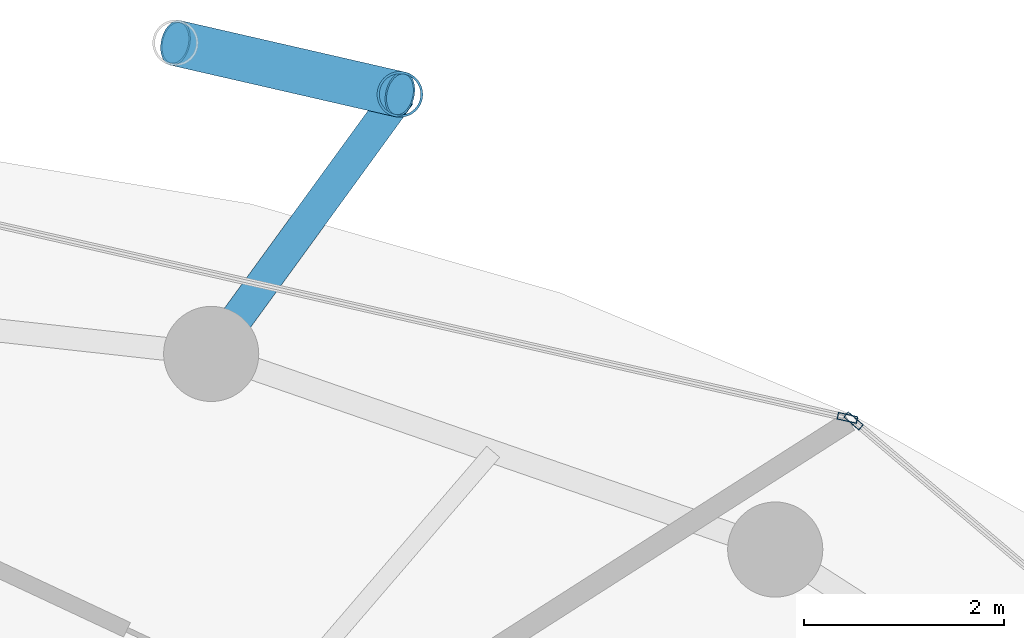
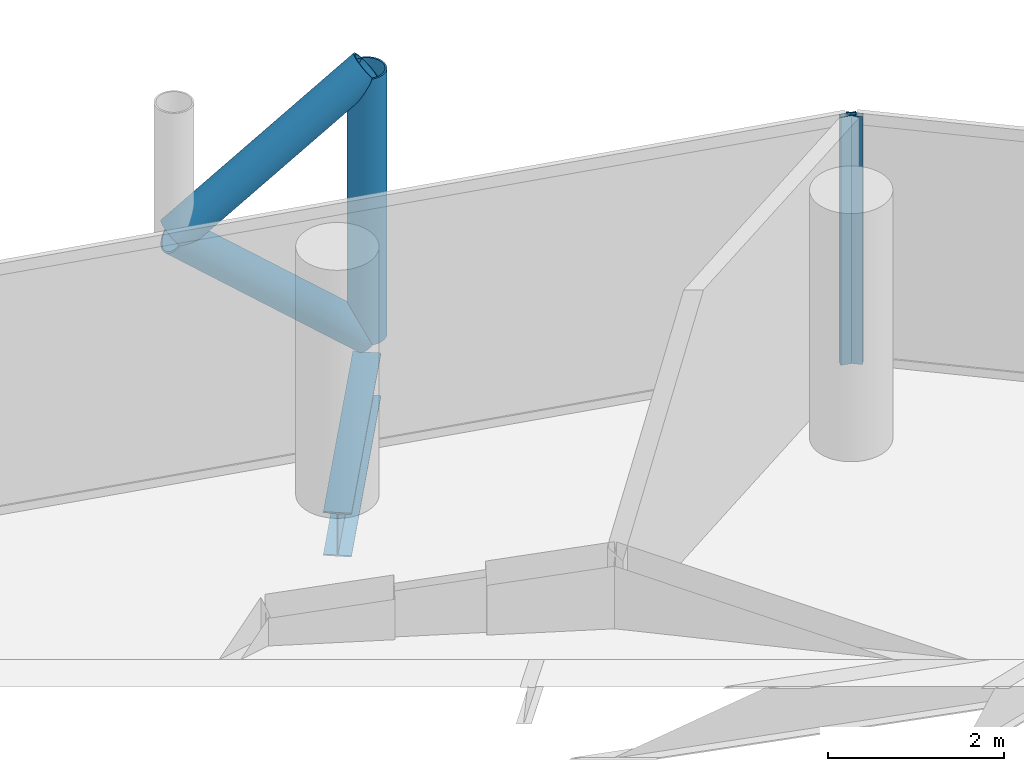
# One storey, part 20 of 26: 5 members, 1 beam, 2 elements without a shape of their own.
"""IFC4 building model written with IfcOpenShell, lengths in metres."""

from ifc_helpers import new_model, si_unit, direction, frame, origin, origin_2d, place, context, subcontext, project, spatial, hollow_rectangle, hollow_circle, i_section, extrude, material, layer, layer_set, material_profile, profile_set, type_object, element, aggregate, save


model = new_model("IFC4")

# Units and contexts
model_context = context("Model", 3, precision=1e-05, world=origin(), true_north=direction((0.0, 1.0)))
body_context = subcontext(model_context, "Body", "Model", "MODEL_VIEW")
ifc_project = project(units=[si_unit("LENGTHUNIT", "METRE"), si_unit("AREAUNIT", "SQUARE_METRE"), si_unit("VOLUMEUNIT", "CUBIC_METRE"), si_unit("PLANEANGLEUNIT", "RADIAN"), si_unit("MASSUNIT", "GRAM", prefix="KILO")], contexts=[model_context])

# Site, building, storey
site_placement = place(None, origin())
site = spatial("IfcSite", under=ifc_project, at=site_placement, CompositionType="ELEMENT")
building_placement = place(site_placement, origin())
building = spatial("IfcBuilding", under=site, at=building_placement, Name="Nuhasar Tower", CompositionType="ELEMENT")
storey_placement = place(building_placement, frame((0.0, 0.0, 147.85009765625)))
storey = spatial("IfcBuildingStorey", under=building, at=storey_placement, Name="L35", CompositionType="ELEMENT", Elevation=147.85009765625)

# Beam
ifc_material_1 = material(Name="Steel S355", Category="steel")
ifc_material_profile_1 = material_profile(ifc_material_1, i_section(OverallWidth=0.323974609375, OverallDepth=0.611083984375, WebThickness=0.0126953125, FlangeThickness=0.01904296875, at=origin_2d()), Name="W24X104")
ifc_profile_set_1 = profile_set([ifc_material_profile_1], Name="Steel S355")
beam_type = type_object("IfcBeamType", Name="BM-TIE-W24X104", PredefinedType="BEAM", material=ifc_profile_set_1)
beam_placement = place(storey_placement, frame((45.04296875, 45.68408203125, -0.55615234375), z_axis=(0.588185286445, 0.808726201387, 0.0), x_axis=(-0.808726201387, 0.588185286445, 0.0)))
element("IfcBeam", 1, at=beam_placement, inside=storey, type_object=beam_type, Name="L35 Exoskeleton Node Tie Beam 03", PredefinedType="BEAM", context=body_context, shape_type="SweptSolid", body=[
    extrude(i_section(OverallWidth=0.323974609375, OverallDepth=0.611083984375, WebThickness=0.0126953125, FlangeThickness=0.01904296875, at=origin_2d()), origin(), (0.0, 0.0, 1.0), 3.204833984375),
])

# Curtain wall, member
ifc_material_2 = material(Name="Aluminium 6063-T6", Category="aluminium")
ifc_layer = layer(ifc_material_2, 0.199951171875)
ifc_layer_set = layer_set([ifc_layer], Name="Aluminium 6063-T6")
curtain_wall_type = type_object("IfcCurtainWallType", Name="CW-Z2-HTL", PredefinedType="NOTDEFINED", material=ifc_layer_set)
curtain_wall_1_placement = place(storey_placement, origin())
curtain_wall_1 = element("IfcCurtainWall", 2, at=curtain_wall_1_placement, inside=storey, type_object=curtain_wall_type, Name="L35 Unitised Curtain Wall 02", PredefinedType="NOTDEFINED")
ifc_material_profile_2 = material_profile(ifc_material_2, hollow_rectangle(XDim=0.070068359375, YDim=0.199951171875, WallThickness=0.0048828125, at=origin_2d()), Name="CWM-3")
ifc_profile_set_2 = profile_set([ifc_material_profile_2], Name="Aluminium 6063-T6")
member_type_1 = type_object("IfcMemberType", Name="CW-MUL-S3", PredefinedType="MULLION", material=ifc_profile_set_2)
member_1_placement = place(storey_placement, frame((51.456787109375, 45.015380859375, 0.0), z_axis=(0.0, 0.0, 1.0), x_axis=(-0.646374438324, -0.763020370292, 0.0)))
member_1 = element("IfcMember", 3, at=member_1_placement, type_object=member_type_1, Name="CW-Z2 mullion 2", PredefinedType="MULLION", context=body_context, shape_type="SweptSolid", body=[
    extrude(hollow_rectangle(XDim=0.070068359375, YDim=0.199951171875, WallThickness=0.0048828125, at=origin_2d()), origin(), (0.0, 0.0, 1.0), 3.449951171875),
])
aggregate(curtain_wall_1, [member_1])

curtain_wall_2_placement = place(storey_placement, origin())
curtain_wall_2 = element("IfcCurtainWall", 4, at=curtain_wall_2_placement, inside=storey, type_object=curtain_wall_type, Name="L35 Unitised Curtain Wall 03", PredefinedType="NOTDEFINED")
member_2_placement = place(storey_placement, frame((51.395751953125, 45.045654296875, 0.0), z_axis=(0.0, 0.0, 1.0), x_axis=(-0.22139729566, -0.975183694221, 0.0)))
member_2 = element("IfcMember", 5, at=member_2_placement, type_object=member_type_1, Name="CW-Z2 mullion 1", PredefinedType="MULLION", context=body_context, shape_type="SweptSolid", body=[
    extrude(hollow_rectangle(XDim=0.070068359375, YDim=0.199951171875, WallThickness=0.0048828125, at=origin_2d()), origin(), (0.0, 0.0, 1.0), 3.449951171875),
])
aggregate(curtain_wall_2, [member_2])

# Members
ifc_material_3 = material(Name="Steel S460", Category="steel")
ifc_material_profile_3 = material_profile(ifc_material_3, hollow_circle(Radius=0.228515625, WallThickness=0.022216796875, at=origin_2d()), Name="HSS457X22.2")
ifc_profile_set_3 = profile_set([ifc_material_profile_3], Name="Steel S460")
member_type_2 = type_object("IfcMemberType", Name="EXO-BRONZE-457", PredefinedType="BRACE", material=ifc_profile_set_3)
member_3_placement = place(storey_placement, frame((46.927978515625, 48.27587890625, 0.0), z_axis=(0.0, 0.0, 1.0), x_axis=(1.0, 0.0, 0.0)))
element("IfcMember", 6, at=member_3_placement, inside=storey, type_object=member_type_2, Name="L35 Exoskeleton Chord Column EC-03A", PredefinedType="BRACE", context=body_context, shape_type="SweptSolid", body=[
    extrude(hollow_circle(Radius=0.228515625, WallThickness=0.022216796875, at=origin_2d()), origin(), (0.0, 0.0, 1.0), 3.699951171875),
])
member_4_placement = place(storey_placement, frame((46.927978515625, 48.27587890625, 0.0), z_axis=(-0.759538919781, 0.174190239035, 0.626704388019), x_axis=(-0.223533724104, -0.974696195842, 0.0)))
element("IfcMember", 7, at=member_4_placement, inside=storey, type_object=member_type_2, Name="L35 Bronze Diagrid Brace W1-03", PredefinedType="BRACE", context=body_context, shape_type="SweptSolid", body=[
    extrude(hollow_circle(Radius=0.228515625, WallThickness=0.022216796875, at=origin_2d()), origin(), (0.0, 0.0, 1.0), 2.95166015625),
])
member_5_placement = place(storey_placement, frame((44.68603515625, 48.7900390625, 1.849853515625), z_axis=(0.759499549084, -0.174181209885, 0.626754609927), x_axis=(0.223533724104, 0.974696195842, 0.0)))
element("IfcMember", 8, at=member_5_placement, inside=storey, type_object=member_type_2, Name="L35 Bronze Diagrid Brace W2-03", PredefinedType="BRACE", context=body_context, shape_type="SweptSolid", body=[
    extrude(hollow_circle(Radius=0.228515625, WallThickness=0.022216796875, at=origin_2d()), origin(), (0.0, 0.0, 1.0), 2.951904296875),
])

save(model, "model.ifc")
